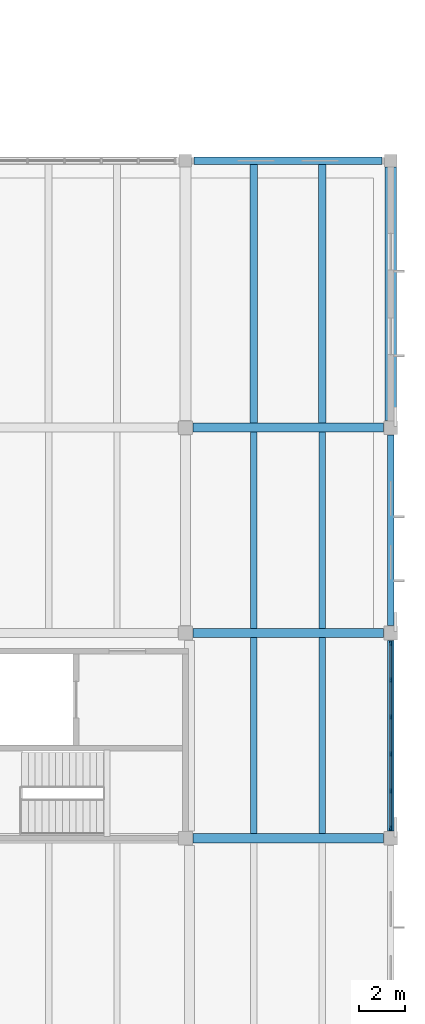
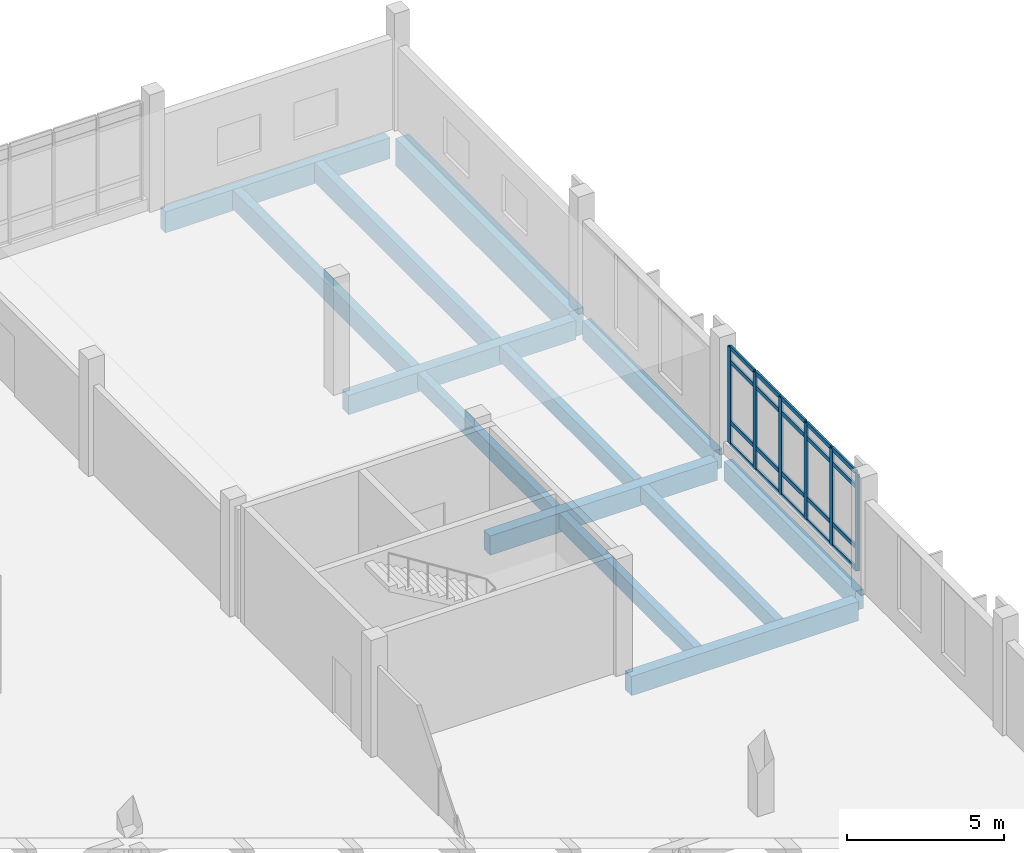
# One storey, part 22 of 63: 26 members, 13 beams, 1 element without a shape of its own.
"""IFC4 building model written with IfcOpenShell, lengths in metres."""

from ifc_helpers import new_model, si_unit, direction, frame, origin, origin_2d, place, context, subcontext, project, spatial, rectangle, extrude, material, layer, layer_set, material_profile, profile_set, type_object, element, aggregate, save


model = new_model("IFC4")

# Units and contexts
model_context = context("Model", 3, precision=1e-05, world=origin(), true_north=direction((0.0, 1.0)))
body_context = subcontext(model_context, "Body", "Model", "MODEL_VIEW")
ifc_project = project(units=[si_unit("LENGTHUNIT", "METRE"), si_unit("AREAUNIT", "SQUARE_METRE"), si_unit("VOLUMEUNIT", "CUBIC_METRE"), si_unit("PLANEANGLEUNIT", "RADIAN"), si_unit("MASSUNIT", "GRAM", prefix="KILO")], contexts=[model_context])

# Site, building, storey
site_placement = place(None, origin())
site = spatial("IfcSite", under=ifc_project, at=site_placement, CompositionType="ELEMENT")
building_placement = place(site_placement, origin())
building = spatial("IfcBuilding", under=site, at=building_placement, Name="Zacnel Wholesale Market", CompositionType="ELEMENT")
storey_placement = place(building_placement, frame((0.0, 0.0, 11.199951171875)))
storey = spatial("IfcBuildingStorey", under=building, at=storey_placement, Name="L03", CompositionType="ELEMENT", Elevation=11.199951171875)

# Beams
ifc_material_1 = material(Name="Precast concrete C45/55", Category="concrete")
ifc_material_profile_1 = material_profile(ifc_material_1, rectangle(XDim=0.280029296875, YDim=0.60009765625, at=origin_2d()), Name="DT RIB 280x600")
ifc_profile_set_1 = profile_set([ifc_material_profile_1], Name="Precast concrete C45/55")
beam_type_1 = type_object("IfcBeamType", Name="BM-DT600", PredefinedType="JOIST", material=ifc_profile_set_1)
for number, where, z_axis, x_axis, name in (
    (1, (210.0, 66.199951171875, -0.579833984375), (0.0, 1.0, 0.0), (-1.0, 0.0, 0.0), "Precast secondary joist L03-0531"),
    (2, (213.0, 66.199951171875, -0.579833984375), (0.0, 1.0, 0.0), (-1.0, 0.0, 0.0), "Precast secondary joist L03-0532"),
    (3, (210.0, 75.199951171875, -0.579833984375), (0.0, 1.0, 0.0), (-1.0, 0.0, 0.0), "Precast secondary joist L03-0549"),
    (4, (213.0, 75.199951171875, -0.579833984375), (0.0, 1.0, 0.0), (-1.0, 0.0, 0.0), "Precast secondary joist L03-0550"),
):
    element("IfcBeam", number, at=place(storey_placement, frame(where, z_axis=z_axis, x_axis=x_axis)), inside=storey, type_object=beam_type_1, Name=name, PredefinedType="JOIST", context=body_context, shape_type="SweptSolid", body=[
        extrude(rectangle(XDim=0.280029296875, YDim=0.60009765625, at=origin_2d()), origin(), (0.0, 0.0, 1.0), 8.60009765625),
    ])
ifc_material_2 = material(Name="Precast concrete C45/55", Category="concrete")
ifc_material_profile_2 = material_profile(ifc_material_2, rectangle(XDim=0.320068359375, YDim=0.75, at=origin_2d()), Name="DT RIB 320x750")
ifc_profile_set_2 = profile_set([ifc_material_profile_2], Name="Precast concrete C45/55")
beam_type_2 = type_object("IfcBeamType", Name="BM-DT750", PredefinedType="JOIST", material=ifc_profile_set_2)
for number, where, z_axis, x_axis, name in (
    (5, (210.0, 84.199951171875, -0.655029296875), (0.0, 1.0, 0.0), (-1.0, 0.0, 0.0), "Precast secondary joist L03-0569"),
    (6, (213.0, 84.199951171875, -0.655029296875), (0.0, 1.0, 0.0), (-1.0, 0.0, 0.0), "Precast secondary joist L03-0570"),
):
    element("IfcBeam", number, at=place(storey_placement, frame(where, z_axis=z_axis, x_axis=x_axis)), inside=storey, type_object=beam_type_2, Name=name, PredefinedType="JOIST", context=body_context, shape_type="SweptSolid", body=[
        extrude(rectangle(XDim=0.320068359375, YDim=0.75, at=origin_2d()), origin(), (0.0, 0.0, 1.0), 11.340087890625),
    ])
ifc_material_3 = material(Name="Precast concrete C45/55", Category="concrete")
ifc_material_profile_3 = material_profile(ifc_material_3, rectangle(XDim=0.5, YDim=1.050048828125, at=origin_2d()), Name="PG 500x1050")
ifc_profile_set_3 = profile_set([ifc_material_profile_3], Name="Precast concrete C45/55")
beam_type_3 = type_object("IfcBeamType", Name="BM-PG1050", PredefinedType="T_BEAM", material=ifc_profile_set_3)
beam_1_placement = place(storey_placement, frame((216.0, 84.324951171875, -0.804931640625), z_axis=(0.0, 1.0, 0.0), x_axis=(-1.0, 0.0, 0.0)))
element("IfcBeam", 7, at=beam_1_placement, inside=storey, type_object=beam_type_3, Name="Precast girder Y-1009", PredefinedType="T_BEAM", context=body_context, shape_type="SweptSolid", body=[
    extrude(rectangle(XDim=0.5, YDim=1.050048828125, at=origin_2d()), origin(), (0.0, 0.0, 1.0), 11.10009765625),
])
ifc_material_4 = material(Name="Precast concrete C45/55", Category="concrete")
ifc_material_profile_4 = material_profile(ifc_material_4, rectangle(XDim=0.39990234375, YDim=0.75, at=origin_2d()), Name="PG 400x750")
ifc_profile_set_4 = profile_set([ifc_material_profile_4], Name="Precast concrete C45/55")
beam_type_4 = type_object("IfcBeamType", Name="BM-PG750", PredefinedType="BEAM", material=ifc_profile_set_4)
for number, where, z_axis, x_axis, name in (
    (8, (207.324951171875, 66.0, -0.655029296875), (1.0, 0.0, 0.0), (0.0, 1.0, 0.0), "Precast girder X-0699"),
    (9, (207.324951171875, 75.0, -0.655029296875), (1.0, 0.0, 0.0), (0.0, 1.0, 0.0), "Precast girder X-0709"),
    (10, (207.324951171875, 84.0, -0.655029296875), (1.0, 0.0, 0.0), (0.0, 1.0, 0.0), "Precast girder X-0719"),
):
    element("IfcBeam", number, at=place(storey_placement, frame(where, z_axis=z_axis, x_axis=x_axis)), inside=storey, type_object=beam_type_4, Name=name, PredefinedType="BEAM", context=body_context, shape_type="SweptSolid", body=[
        extrude(rectangle(XDim=0.39990234375, YDim=0.75, at=origin_2d()), origin(), (0.0, 0.0, 1.0), 8.35009765625),
    ])
ifc_material_5 = material(Name="Precast concrete C45/55", Category="concrete")
ifc_material_profile_5 = material_profile(ifc_material_5, rectangle(XDim=0.300048828125, YDim=0.75, at=origin_2d()), Name="SP 300x750")
ifc_profile_set_5 = profile_set([ifc_material_profile_5], Name="Precast concrete C45/55")
beam_type_5 = type_object("IfcBeamType", Name="BM-SP750", PredefinedType="SPANDREL", material=ifc_profile_set_5)
for number, where, z_axis, x_axis, name in (
    (11, (216.0, 66.324951171875, -0.655029296875), (0.0, 1.0, 0.0), (-1.0, 0.0, 0.0), "Precast girder Y-1007"),
    (12, (216.0, 75.324951171875, -0.655029296875), (0.0, 1.0, 0.0), (-1.0, 0.0, 0.0), "Precast girder Y-1008"),
):
    element("IfcBeam", number, at=place(storey_placement, frame(where, z_axis=z_axis, x_axis=x_axis)), inside=storey, type_object=beam_type_5, Name=name, PredefinedType="SPANDREL", context=body_context, shape_type="SweptSolid", body=[
        extrude(rectangle(XDim=0.300048828125, YDim=0.75, at=origin_2d()), origin(), (0.0, 0.0, 1.0), 8.35009765625),
    ])
ifc_material_6 = material(Name="Precast concrete C45/55", Category="concrete")
ifc_material_profile_6 = material_profile(ifc_material_6, rectangle(XDim=0.320068359375, YDim=0.820068359375, at=origin_2d()), Name="SP 320x820")
ifc_profile_set_6 = profile_set([ifc_material_profile_6], Name="Precast concrete C45/55")
beam_type_6 = type_object("IfcBeamType", Name="BM-SP820", PredefinedType="SPANDREL", material=ifc_profile_set_6)
beam_2_placement = place(storey_placement, frame((207.375, 95.699951171875, -0.68994140625), z_axis=(1.0, 0.0, 0.0), x_axis=(0.0, 1.0, 0.0)))
element("IfcBeam", 13, at=beam_2_placement, inside=storey, type_object=beam_type_6, Name="Precast girder X-0729", PredefinedType="SPANDREL", context=body_context, shape_type="SweptSolid", body=[
    extrude(rectangle(XDim=0.320068359375, YDim=0.820068359375, at=origin_2d()), origin(), (0.0, 0.0, 1.0), 8.25),
])

# Curtain wall, members
ifc_material_7 = material(Name="Anodised aluminium", Category="aluminium")
ifc_layer = layer(ifc_material_7, 0.159912109375)
ifc_layer_set = layer_set([ifc_layer], Name="Anodised aluminium")
curtain_wall_type = type_object("IfcCurtainWallType", Name="CW-COURT-4500", PredefinedType="NOTDEFINED", material=ifc_layer_set)
curtain_wall_placement = place(storey_placement, origin())
curtain_wall = element("IfcCurtainWall", 14, at=curtain_wall_placement, inside=storey, type_object=curtain_wall_type, Name="Curtain wall ENV-R2-CW-L03-051", PredefinedType="NOTDEFINED")
ifc_material_8 = material(Name="Anodised aluminium", Category="aluminium")
ifc_material_profile_7 = material_profile(ifc_material_8, rectangle(XDim=0.070068359375, YDim=0.199951171875, at=origin_2d()), Name="AW-MULLION 70x200")
ifc_profile_set_7 = profile_set([ifc_material_profile_7], Name="Anodised aluminium")
member_type_1 = type_object("IfcMemberType", Name="CWM-MUL-02", PredefinedType="MULLION", material=ifc_profile_set_7)
member_1_placement = place(storey_placement, frame((216.0, 66.449951171875, 0.449951171875), z_axis=(0.0, 0.0, 1.0), x_axis=(1.0, 0.0, 0.0)))
member_1 = element("IfcMember", 15, at=member_1_placement, type_object=member_type_1, Name="ENV-R2-CW-L03-051 mullion 01", PredefinedType="MULLION", context=body_context, shape_type="SweptSolid", body=[
    extrude(rectangle(XDim=0.070068359375, YDim=0.199951171875, at=origin_2d()), origin(), (0.0, 0.0, 1.0), 3.75),
])
member_2_placement = place(storey_placement, frame((216.0, 68.070068359375, 0.449951171875), z_axis=(0.0, 0.0, 1.0), x_axis=(1.0, 0.0, 0.0)))
member_2 = element("IfcMember", 16, at=member_2_placement, type_object=member_type_1, Name="ENV-R2-CW-L03-051 mullion 02", PredefinedType="MULLION", context=body_context, shape_type="SweptSolid", body=[
    extrude(rectangle(XDim=0.070068359375, YDim=0.199951171875, at=origin_2d()), origin(), (0.0, 0.0, 1.0), 3.75),
])
member_3_placement = place(storey_placement, frame((216.0, 69.68994140625, 0.449951171875), z_axis=(0.0, 0.0, 1.0), x_axis=(1.0, 0.0, 0.0)))
member_3 = element("IfcMember", 17, at=member_3_placement, type_object=member_type_1, Name="ENV-R2-CW-L03-051 mullion 03", PredefinedType="MULLION", context=body_context, shape_type="SweptSolid", body=[
    extrude(rectangle(XDim=0.070068359375, YDim=0.199951171875, at=origin_2d()), origin(), (0.0, 0.0, 1.0), 3.75),
])
member_4_placement = place(storey_placement, frame((216.0, 71.31005859375, 0.449951171875), z_axis=(0.0, 0.0, 1.0), x_axis=(1.0, 0.0, 0.0)))
member_4 = element("IfcMember", 18, at=member_4_placement, type_object=member_type_1, Name="ENV-R2-CW-L03-051 mullion 04", PredefinedType="MULLION", context=body_context, shape_type="SweptSolid", body=[
    extrude(rectangle(XDim=0.070068359375, YDim=0.199951171875, at=origin_2d()), origin(), (0.0, 0.0, 1.0), 3.75),
])
member_5_placement = place(storey_placement, frame((216.0, 72.929931640625, 0.449951171875), z_axis=(0.0, 0.0, 1.0), x_axis=(1.0, 0.0, 0.0)))
member_5 = element("IfcMember", 19, at=member_5_placement, type_object=member_type_1, Name="ENV-R2-CW-L03-051 mullion 05", PredefinedType="MULLION", context=body_context, shape_type="SweptSolid", body=[
    extrude(rectangle(XDim=0.070068359375, YDim=0.199951171875, at=origin_2d()), origin(), (0.0, 0.0, 1.0), 3.75),
])
member_6_placement = place(storey_placement, frame((216.0, 74.550048828125, 0.449951171875), z_axis=(0.0, 0.0, 1.0), x_axis=(1.0, 0.0, 0.0)))
member_6 = element("IfcMember", 20, at=member_6_placement, type_object=member_type_1, Name="ENV-R2-CW-L03-051 mullion 06", PredefinedType="MULLION", context=body_context, shape_type="SweptSolid", body=[
    extrude(rectangle(XDim=0.070068359375, YDim=0.199951171875, at=origin_2d()), origin(), (0.0, 0.0, 1.0), 3.75),
])
ifc_material_9 = material(Name="Anodised aluminium", Category="aluminium")
ifc_material_profile_8 = material_profile(ifc_material_9, rectangle(XDim=0.070068359375, YDim=0.159912109375, at=origin_2d()), Name="AW-TRANSOM 70x160")
ifc_profile_set_8 = profile_set([ifc_material_profile_8], Name="Anodised aluminium")
member_type_2 = type_object("IfcMemberType", Name="CWM-TRN-02", PredefinedType="USERDEFINED", material=ifc_profile_set_8)
member_7_placement = place(storey_placement, frame((216.0, 66.485107421875, 0.449951171875), z_axis=(0.0, 1.0, 0.0), x_axis=(-1.0, 0.0, 0.0)))
member_7 = element("IfcMember", 21, at=member_7_placement, type_object=member_type_2, Name="ENV-R2-CW-L03-051 transom 1-1", ObjectType="TRANSOM", PredefinedType="USERDEFINED", context=body_context, shape_type="SweptSolid", body=[
    extrude(rectangle(XDim=0.070068359375, YDim=0.159912109375, at=origin_2d()), origin(), (0.0, 0.0, 1.0), 1.5498046875),
])
member_8_placement = place(storey_placement, frame((216.0, 66.485107421875, 1.300048828125), z_axis=(0.0, 1.0, 0.0), x_axis=(-1.0, 0.0, 0.0)))
member_8 = element("IfcMember", 22, at=member_8_placement, type_object=member_type_2, Name="ENV-R2-CW-L03-051 transom 1-2", ObjectType="TRANSOM", PredefinedType="USERDEFINED", context=body_context, shape_type="SweptSolid", body=[
    extrude(rectangle(XDim=0.070068359375, YDim=0.159912109375, at=origin_2d()), origin(), (0.0, 0.0, 1.0), 1.5498046875),
])
member_9_placement = place(storey_placement, frame((216.0, 66.485107421875, 3.650146484375), z_axis=(0.0, 1.0, 0.0), x_axis=(-1.0, 0.0, 0.0)))
member_9 = element("IfcMember", 23, at=member_9_placement, type_object=member_type_2, Name="ENV-R2-CW-L03-051 transom 1-3", ObjectType="TRANSOM", PredefinedType="USERDEFINED", context=body_context, shape_type="SweptSolid", body=[
    extrude(rectangle(XDim=0.070068359375, YDim=0.159912109375, at=origin_2d()), origin(), (0.0, 0.0, 1.0), 1.5498046875),
])
member_10_placement = place(storey_placement, frame((216.0, 66.485107421875, 4.199951171875), z_axis=(0.0, 1.0, 0.0), x_axis=(-1.0, 0.0, 0.0)))
member_10 = element("IfcMember", 24, at=member_10_placement, type_object=member_type_2, Name="ENV-R2-CW-L03-051 transom 1-4", ObjectType="TRANSOM", PredefinedType="USERDEFINED", context=body_context, shape_type="SweptSolid", body=[
    extrude(rectangle(XDim=0.070068359375, YDim=0.159912109375, at=origin_2d()), origin(), (0.0, 0.0, 1.0), 1.5498046875),
])
member_11_placement = place(storey_placement, frame((216.0, 68.10498046875, 0.449951171875), z_axis=(0.0, 1.0, 0.0), x_axis=(-1.0, 0.0, 0.0)))
member_11 = element("IfcMember", 25, at=member_11_placement, type_object=member_type_2, Name="ENV-R2-CW-L03-051 transom 2-1", ObjectType="TRANSOM", PredefinedType="USERDEFINED", context=body_context, shape_type="SweptSolid", body=[
    extrude(rectangle(XDim=0.070068359375, YDim=0.159912109375, at=origin_2d()), origin(), (0.0, 0.0, 1.0), 1.550048828125),
])
member_12_placement = place(storey_placement, frame((216.0, 68.10498046875, 1.300048828125), z_axis=(0.0, 1.0, 0.0), x_axis=(-1.0, 0.0, 0.0)))
member_12 = element("IfcMember", 26, at=member_12_placement, type_object=member_type_2, Name="ENV-R2-CW-L03-051 transom 2-2", ObjectType="TRANSOM", PredefinedType="USERDEFINED", context=body_context, shape_type="SweptSolid", body=[
    extrude(rectangle(XDim=0.070068359375, YDim=0.159912109375, at=origin_2d()), origin(), (0.0, 0.0, 1.0), 1.550048828125),
])
member_13_placement = place(storey_placement, frame((216.0, 68.10498046875, 3.650146484375), z_axis=(0.0, 1.0, 0.0), x_axis=(-1.0, 0.0, 0.0)))
member_13 = element("IfcMember", 27, at=member_13_placement, type_object=member_type_2, Name="ENV-R2-CW-L03-051 transom 2-3", ObjectType="TRANSOM", PredefinedType="USERDEFINED", context=body_context, shape_type="SweptSolid", body=[
    extrude(rectangle(XDim=0.070068359375, YDim=0.159912109375, at=origin_2d()), origin(), (0.0, 0.0, 1.0), 1.550048828125),
])
member_14_placement = place(storey_placement, frame((216.0, 68.10498046875, 4.199951171875), z_axis=(0.0, 1.0, 0.0), x_axis=(-1.0, 0.0, 0.0)))
member_14 = element("IfcMember", 28, at=member_14_placement, type_object=member_type_2, Name="ENV-R2-CW-L03-051 transom 2-4", ObjectType="TRANSOM", PredefinedType="USERDEFINED", context=body_context, shape_type="SweptSolid", body=[
    extrude(rectangle(XDim=0.070068359375, YDim=0.159912109375, at=origin_2d()), origin(), (0.0, 0.0, 1.0), 1.550048828125),
])
member_15_placement = place(storey_placement, frame((216.0, 69.72509765625, 0.449951171875), z_axis=(0.0, 1.0, 0.0), x_axis=(-1.0, 0.0, 0.0)))
member_15 = element("IfcMember", 29, at=member_15_placement, type_object=member_type_2, Name="ENV-R2-CW-L03-051 transom 3-1", ObjectType="TRANSOM", PredefinedType="USERDEFINED", context=body_context, shape_type="SweptSolid", body=[
    extrude(rectangle(XDim=0.070068359375, YDim=0.159912109375, at=origin_2d()), origin(), (0.0, 0.0, 1.0), 1.5498046875),
])
member_16_placement = place(storey_placement, frame((216.0, 69.72509765625, 1.300048828125), z_axis=(0.0, 1.0, 0.0), x_axis=(-1.0, 0.0, 0.0)))
member_16 = element("IfcMember", 30, at=member_16_placement, type_object=member_type_2, Name="ENV-R2-CW-L03-051 transom 3-2", ObjectType="TRANSOM", PredefinedType="USERDEFINED", context=body_context, shape_type="SweptSolid", body=[
    extrude(rectangle(XDim=0.070068359375, YDim=0.159912109375, at=origin_2d()), origin(), (0.0, 0.0, 1.0), 1.5498046875),
])
member_17_placement = place(storey_placement, frame((216.0, 69.72509765625, 3.650146484375), z_axis=(0.0, 1.0, 0.0), x_axis=(-1.0, 0.0, 0.0)))
member_17 = element("IfcMember", 31, at=member_17_placement, type_object=member_type_2, Name="ENV-R2-CW-L03-051 transom 3-3", ObjectType="TRANSOM", PredefinedType="USERDEFINED", context=body_context, shape_type="SweptSolid", body=[
    extrude(rectangle(XDim=0.070068359375, YDim=0.159912109375, at=origin_2d()), origin(), (0.0, 0.0, 1.0), 1.5498046875),
])
member_18_placement = place(storey_placement, frame((216.0, 69.72509765625, 4.199951171875), z_axis=(0.0, 1.0, 0.0), x_axis=(-1.0, 0.0, 0.0)))
member_18 = element("IfcMember", 32, at=member_18_placement, type_object=member_type_2, Name="ENV-R2-CW-L03-051 transom 3-4", ObjectType="TRANSOM", PredefinedType="USERDEFINED", context=body_context, shape_type="SweptSolid", body=[
    extrude(rectangle(XDim=0.070068359375, YDim=0.159912109375, at=origin_2d()), origin(), (0.0, 0.0, 1.0), 1.5498046875),
])
member_19_placement = place(storey_placement, frame((216.0, 71.344970703125, 0.449951171875), z_axis=(0.0, 1.0, 0.0), x_axis=(-1.0, 0.0, 0.0)))
member_19 = element("IfcMember", 33, at=member_19_placement, type_object=member_type_2, Name="ENV-R2-CW-L03-051 transom 4-1", ObjectType="TRANSOM", PredefinedType="USERDEFINED", context=body_context, shape_type="SweptSolid", body=[
    extrude(rectangle(XDim=0.070068359375, YDim=0.159912109375, at=origin_2d()), origin(), (0.0, 0.0, 1.0), 1.550048828125),
])
member_20_placement = place(storey_placement, frame((216.0, 71.344970703125, 1.300048828125), z_axis=(0.0, 1.0, 0.0), x_axis=(-1.0, 0.0, 0.0)))
member_20 = element("IfcMember", 34, at=member_20_placement, type_object=member_type_2, Name="ENV-R2-CW-L03-051 transom 4-2", ObjectType="TRANSOM", PredefinedType="USERDEFINED", context=body_context, shape_type="SweptSolid", body=[
    extrude(rectangle(XDim=0.070068359375, YDim=0.159912109375, at=origin_2d()), origin(), (0.0, 0.0, 1.0), 1.550048828125),
])
member_21_placement = place(storey_placement, frame((216.0, 71.344970703125, 3.650146484375), z_axis=(0.0, 1.0, 0.0), x_axis=(-1.0, 0.0, 0.0)))
member_21 = element("IfcMember", 35, at=member_21_placement, type_object=member_type_2, Name="ENV-R2-CW-L03-051 transom 4-3", ObjectType="TRANSOM", PredefinedType="USERDEFINED", context=body_context, shape_type="SweptSolid", body=[
    extrude(rectangle(XDim=0.070068359375, YDim=0.159912109375, at=origin_2d()), origin(), (0.0, 0.0, 1.0), 1.550048828125),
])
member_22_placement = place(storey_placement, frame((216.0, 71.344970703125, 4.199951171875), z_axis=(0.0, 1.0, 0.0), x_axis=(-1.0, 0.0, 0.0)))
member_22 = element("IfcMember", 36, at=member_22_placement, type_object=member_type_2, Name="ENV-R2-CW-L03-051 transom 4-4", ObjectType="TRANSOM", PredefinedType="USERDEFINED", context=body_context, shape_type="SweptSolid", body=[
    extrude(rectangle(XDim=0.070068359375, YDim=0.159912109375, at=origin_2d()), origin(), (0.0, 0.0, 1.0), 1.550048828125),
])
member_23_placement = place(storey_placement, frame((216.0, 72.965087890625, 0.449951171875), z_axis=(0.0, 1.0, 0.0), x_axis=(-1.0, 0.0, 0.0)))
member_23 = element("IfcMember", 37, at=member_23_placement, type_object=member_type_2, Name="ENV-R2-CW-L03-051 transom 5-1", ObjectType="TRANSOM", PredefinedType="USERDEFINED", context=body_context, shape_type="SweptSolid", body=[
    extrude(rectangle(XDim=0.070068359375, YDim=0.159912109375, at=origin_2d()), origin(), (0.0, 0.0, 1.0), 1.5498046875),
])
member_24_placement = place(storey_placement, frame((216.0, 72.965087890625, 1.300048828125), z_axis=(0.0, 1.0, 0.0), x_axis=(-1.0, 0.0, 0.0)))
member_24 = element("IfcMember", 38, at=member_24_placement, type_object=member_type_2, Name="ENV-R2-CW-L03-051 transom 5-2", ObjectType="TRANSOM", PredefinedType="USERDEFINED", context=body_context, shape_type="SweptSolid", body=[
    extrude(rectangle(XDim=0.070068359375, YDim=0.159912109375, at=origin_2d()), origin(), (0.0, 0.0, 1.0), 1.5498046875),
])
member_25_placement = place(storey_placement, frame((216.0, 72.965087890625, 3.650146484375), z_axis=(0.0, 1.0, 0.0), x_axis=(-1.0, 0.0, 0.0)))
member_25 = element("IfcMember", 39, at=member_25_placement, type_object=member_type_2, Name="ENV-R2-CW-L03-051 transom 5-3", ObjectType="TRANSOM", PredefinedType="USERDEFINED", context=body_context, shape_type="SweptSolid", body=[
    extrude(rectangle(XDim=0.070068359375, YDim=0.159912109375, at=origin_2d()), origin(), (0.0, 0.0, 1.0), 1.5498046875),
])
member_26_placement = place(storey_placement, frame((216.0, 72.965087890625, 4.199951171875), z_axis=(0.0, 1.0, 0.0), x_axis=(-1.0, 0.0, 0.0)))
member_26 = element("IfcMember", 40, at=member_26_placement, type_object=member_type_2, Name="ENV-R2-CW-L03-051 transom 5-4", ObjectType="TRANSOM", PredefinedType="USERDEFINED", context=body_context, shape_type="SweptSolid", body=[
    extrude(rectangle(XDim=0.070068359375, YDim=0.159912109375, at=origin_2d()), origin(), (0.0, 0.0, 1.0), 1.5498046875),
])
aggregate(curtain_wall, [member_1, member_2, member_3, member_4, member_5, member_6, member_7, member_8, member_9, member_10, member_11, member_12, member_13, member_14, member_15, member_16, member_17, member_18, member_19, member_20, member_21, member_22, member_23, member_24, member_25, member_26])

save(model, "model.ifc")
